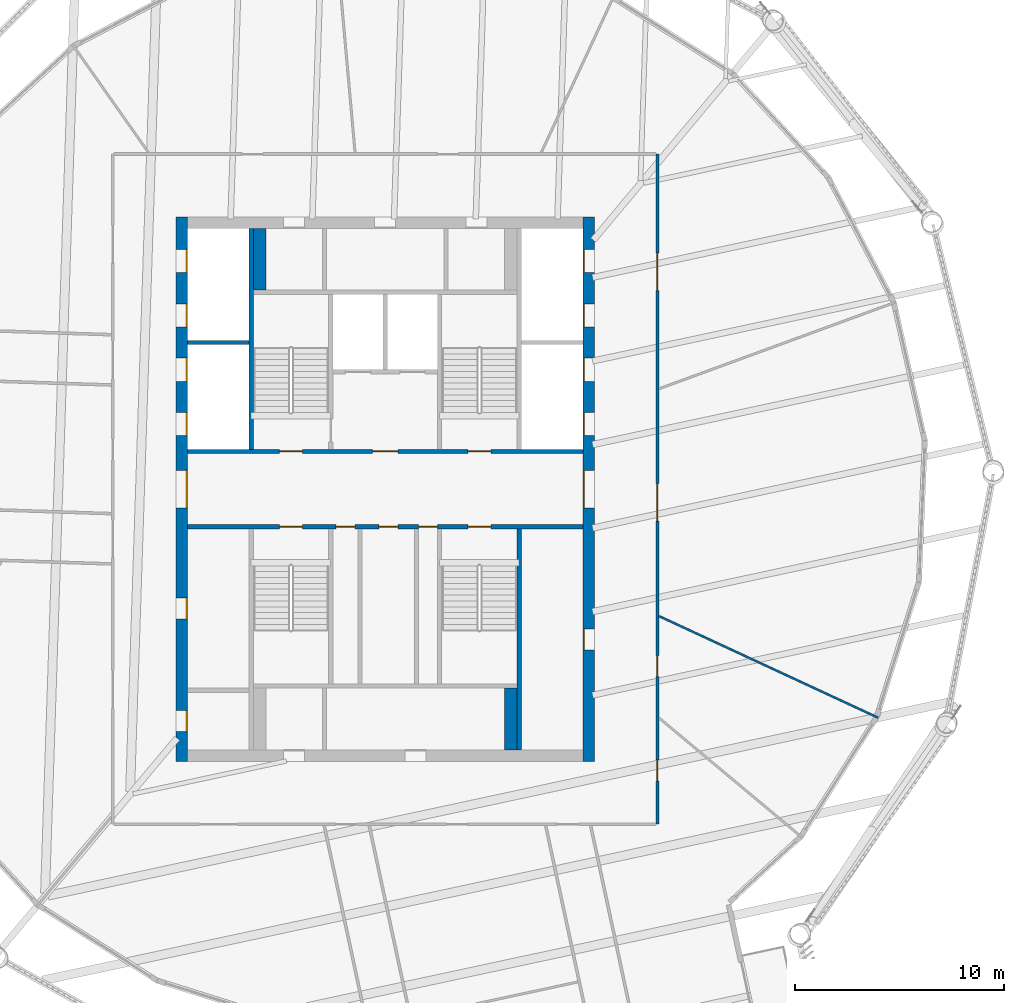
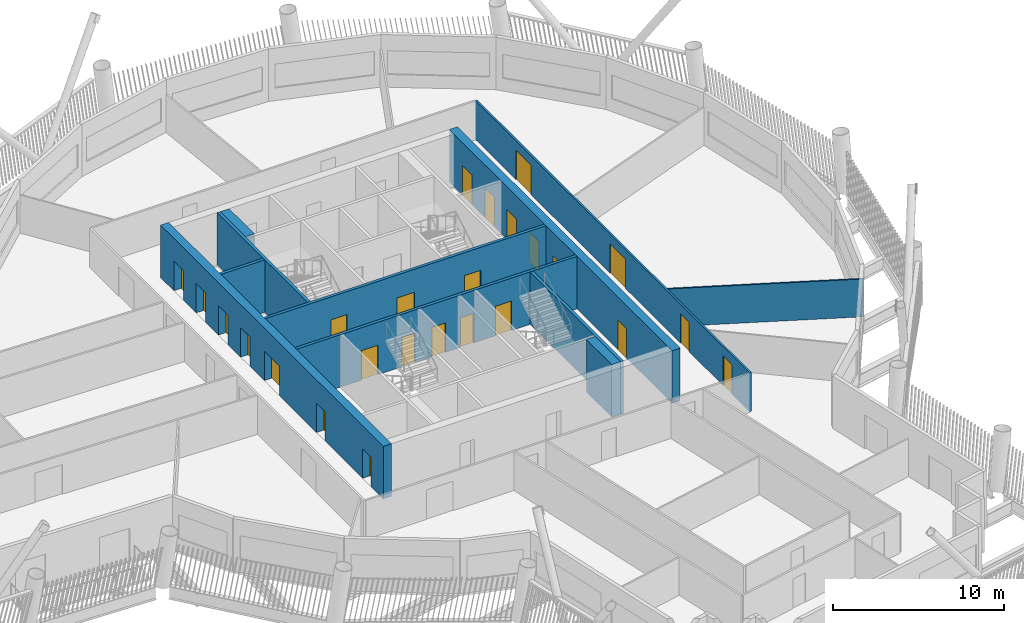
# One storey, part 5 of 21: 25 doors, 11 walls, 25 openings.
"""IFC4 building model written with IfcOpenShell, lengths in metres."""

from ifc_helpers import new_model, si_unit, direction, frame, frame_2d, origin, place, context, subcontext, project, spatial, rectangle, extrude, material, layer, layer_set, type_object, element, fill, save


model = new_model("IFC4")

# Units and contexts
model_context = context("Model", 3, precision=1e-05, world=origin(), true_north=direction((0.0, 1.0)))
body_context = subcontext(model_context, "Body", "Model", "MODEL_VIEW")
ifc_project = project(units=[si_unit("LENGTHUNIT", "METRE"), si_unit("AREAUNIT", "SQUARE_METRE"), si_unit("VOLUMEUNIT", "CUBIC_METRE"), si_unit("PLANEANGLEUNIT", "RADIAN"), si_unit("MASSUNIT", "GRAM", prefix="KILO")], contexts=[model_context])

# Site, building, storey
site_placement = place(None, origin())
site = spatial("IfcSite", under=ifc_project, at=site_placement, CompositionType="ELEMENT")
building_placement = place(site_placement, origin())
building = spatial("IfcBuilding", under=site, at=building_placement, Name="Tarsis Ring Headquarters", CompositionType="ELEMENT")
storey_placement = place(building_placement, frame((0.0, 0.0, 278.60009765625)))
storey = spatial("IfcBuildingStorey", under=building, at=storey_placement, Name="L65", CompositionType="ELEMENT", Elevation=278.60009765625)

# Wall, openings, doors
ifc_material_1 = material(Name="Concrete C50/60", Category="concrete")
ifc_layer_1 = layer(ifc_material_1, 0.550048828125)
ifc_layer_set_1 = layer_set([ifc_layer_1], Name="Core wall 550 C50/60")
wall_type_1 = type_object("IfcWallType", Name="Core wall 550 C50/60", PredefinedType="SHEAR", material=ifc_layer_set_1)
wall_1_placement = place(storey_placement, frame((-9.72509765625, -13.0, 0.0), z_axis=(0.0, 0.0, 1.0), x_axis=(0.0, 1.0, 0.0)))
wall_1 = element("IfcWall", 1, at=wall_1_placement, inside=storey, type_object=wall_type_1, Name="Core wall OW", PredefinedType="SHEAR", context=body_context, shape_type="SweptSolid", body=[
    extrude(rectangle(XDim=26.0, YDim=0.550048828125, at=frame_2d((13.0, 0.0))), origin(), (0.0, 0.0, 1.0), 3.739990234375),
])
opening_1_placement = place(wall_1_placement, frame((1.425048828125, 0.0, 0.0)))
opening_1 = element("IfcOpeningElement", 2, at=opening_1_placement, cuts=wall_1, Name="Opening L65-C01", PredefinedType="OPENING", context=body_context, shape_type="SweptSolid", body=[
    extrude(rectangle(XDim=1.0, YDim=2.10009765625, at=frame_2d((0.5, 1.050048828125))), frame((0.0, 0.284912109375, 0.0), z_axis=(0.0, -1.0, 0.0), x_axis=(1.0, 0.0, 0.0)), (0.0, 0.0, 1.0), 0.570068359375),
])
opening_2_placement = place(wall_1_placement, frame((6.800048828125, 0.0, 0.0)))
opening_2 = element("IfcOpeningElement", 3, at=opening_2_placement, cuts=wall_1, Name="Opening L65-C02", PredefinedType="OPENING", context=body_context, shape_type="SweptSolid", body=[
    extrude(rectangle(XDim=1.0, YDim=2.10009765625, at=frame_2d((0.5, 1.050048828125))), frame((0.0, 0.284912109375, 0.0), z_axis=(0.0, -1.0, 0.0), x_axis=(1.0, 0.0, 0.0)), (0.0, 0.0, 1.0), 0.570068359375),
])
opening_3_placement = place(wall_1_placement, frame((12.10009765625, 0.0, 0.0)))
opening_3 = element("IfcOpeningElement", 4, at=opening_3_placement, cuts=wall_1, Name="Opening L65-C03", PredefinedType="OPENING", context=body_context, shape_type="SweptSolid", body=[
    extrude(rectangle(XDim=1.800048828125, YDim=2.10009765625, at=frame_2d((0.89990234375, 1.050048828125))), frame((0.0, 0.284912109375, 0.0), z_axis=(0.0, -1.0, 0.0), x_axis=(1.0, 0.0, 0.0)), (0.0, 0.0, 1.0), 0.570068359375),
])
opening_4_placement = place(wall_1_placement, frame((15.550048828125, 0.0, 0.0)))
opening_4 = element("IfcOpeningElement", 5, at=opening_4_placement, cuts=wall_1, Name="Opening LD-HR1", PredefinedType="OPENING", context=body_context, shape_type="SweptSolid", body=[
    extrude(rectangle(XDim=1.10009765625, YDim=2.10009765625, at=frame_2d((0.550048828125, 1.050048828125))), frame((0.0, 0.284912109375, 0.0), z_axis=(0.0, -1.0, 0.0), x_axis=(1.0, 0.0, 0.0)), (0.0, 0.0, 1.0), 0.570068359375),
])
opening_5_placement = place(wall_1_placement, frame((18.14990234375, 0.0, 0.0)))
opening_5 = element("IfcOpeningElement", 6, at=opening_5_placement, cuts=wall_1, Name="Opening LD-HR2", PredefinedType="OPENING", context=body_context, shape_type="SweptSolid", body=[
    extrude(rectangle(XDim=1.10009765625, YDim=2.10009765625, at=frame_2d((0.550048828125, 1.050048828125))), frame((0.0, 0.284912109375, 0.0), z_axis=(0.0, -1.0, 0.0), x_axis=(1.0, 0.0, 0.0)), (0.0, 0.0, 1.0), 0.570068359375),
])
opening_6_placement = place(wall_1_placement, frame((20.75, 0.0, 0.0)))
opening_6 = element("IfcOpeningElement", 7, at=opening_6_placement, cuts=wall_1, Name="Opening LD-HR3", PredefinedType="OPENING", context=body_context, shape_type="SweptSolid", body=[
    extrude(rectangle(XDim=1.10009765625, YDim=2.10009765625, at=frame_2d((0.550048828125, 1.050048828125))), frame((0.0, 0.284912109375, 0.0), z_axis=(0.0, -1.0, 0.0), x_axis=(1.0, 0.0, 0.0)), (0.0, 0.0, 1.0), 0.570068359375),
])
opening_7_placement = place(wall_1_placement, frame((23.35009765625, 0.0, 0.0)))
opening_7 = element("IfcOpeningElement", 8, at=opening_7_placement, cuts=wall_1, Name="Opening LD-HR4", PredefinedType="OPENING", context=body_context, shape_type="SweptSolid", body=[
    extrude(rectangle(XDim=1.10009765625, YDim=2.10009765625, at=frame_2d((0.550048828125, 1.050048828125))), frame((0.0, 0.284912109375, 0.0), z_axis=(0.0, -1.0, 0.0), x_axis=(1.0, 0.0, 0.0)), (0.0, 0.0, 1.0), 0.570068359375),
])
ifc_material_2 = material(Name="Steel S355", Category="steel")
door_type_1 = type_object("IfcDoorType", Name="Core entry door 1800x2100", OperationType="DOUBLE_DOOR_SINGLE_SWING", PredefinedType="DOOR", material=ifc_material_2)
door_1_placement = place(opening_3_placement, origin())
door_1 = element("IfcDoor", 9, at=door_1_placement, inside=storey, type_object=door_type_1, Name="Core entry door L65", OperationType="DOUBLE_DOOR_SINGLE_SWING", OverallHeight=2.10009765625, OverallWidth=1.800048828125, PredefinedType="DOOR", context=body_context, shape_type="SweptSolid", body=[
    extrude(rectangle(XDim=1.800048828125, YDim=2.10009765625, at=frame_2d((0.89990234375, 1.050048828125))), frame((0.0, -0.22509765625, 0.0), z_axis=(0.0, -1.0, 0.0), x_axis=(1.0, 0.0, 0.0)), (0.0, 0.0, 1.0), 0.050048828125),
])
fill(opening_3, door_1)
door_type_2 = type_object("IfcDoorType", Name="Core room door 1000x2100", OperationType="SINGLE_SWING_LEFT", PredefinedType="DOOR", material=ifc_material_2)
door_2_placement = place(opening_1_placement, origin())
door_2 = element("IfcDoor", 10, at=door_2_placement, inside=storey, type_object=door_type_2, Name="Core room door L65", OperationType="SINGLE_SWING_LEFT", OverallHeight=2.10009765625, OverallWidth=1.0, PredefinedType="DOOR", context=body_context, shape_type="SweptSolid", body=[
    extrude(rectangle(XDim=1.0, YDim=2.10009765625, at=frame_2d((0.5, 1.050048828125))), frame((0.0, -0.22509765625, 0.0), z_axis=(0.0, -1.0, 0.0), x_axis=(1.0, 0.0, 0.0)), (0.0, 0.0, 1.0), 0.050048828125),
])
fill(opening_1, door_2)
door_3_placement = place(opening_2_placement, origin())
door_3 = element("IfcDoor", 11, at=door_3_placement, inside=storey, type_object=door_type_2, Name="Core room door L65", OperationType="SINGLE_SWING_LEFT", OverallHeight=2.10009765625, OverallWidth=1.0, PredefinedType="DOOR", context=body_context, shape_type="SweptSolid", body=[
    extrude(rectangle(XDim=1.0, YDim=2.10009765625, at=frame_2d((0.5, 1.050048828125))), frame((0.0, -0.22509765625, 0.0), z_axis=(0.0, -1.0, 0.0), x_axis=(1.0, 0.0, 0.0)), (0.0, 0.0, 1.0), 0.050048828125),
])
fill(opening_2, door_3)
door_type_3 = type_object("IfcDoorType", Name="Landing door 1100x2100", OperationType="SLIDING_TO_LEFT", PredefinedType="DOOR", material=ifc_material_2)
door_4_placement = place(opening_4_placement, origin())
door_4 = element("IfcDoor", 12, at=door_4_placement, inside=storey, type_object=door_type_3, Name="Landing door HR1 L65", OperationType="SLIDING_TO_LEFT", OverallHeight=2.10009765625, OverallWidth=1.10009765625, PredefinedType="DOOR", context=body_context, shape_type="SweptSolid", body=[
    extrude(rectangle(XDim=1.10009765625, YDim=2.10009765625, at=frame_2d((0.550048828125, 1.050048828125))), frame((0.0, -0.22509765625, 0.0), z_axis=(0.0, -1.0, 0.0), x_axis=(1.0, 0.0, 0.0)), (0.0, 0.0, 1.0), 0.050048828125),
])
fill(opening_4, door_4)
door_5_placement = place(opening_5_placement, origin())
door_5 = element("IfcDoor", 13, at=door_5_placement, inside=storey, type_object=door_type_3, Name="Landing door HR2 L65", OperationType="SLIDING_TO_LEFT", OverallHeight=2.10009765625, OverallWidth=1.10009765625, PredefinedType="DOOR", context=body_context, shape_type="SweptSolid", body=[
    extrude(rectangle(XDim=1.10009765625, YDim=2.10009765625, at=frame_2d((0.550048828125, 1.050048828125))), frame((0.0, -0.22509765625, 0.0), z_axis=(0.0, -1.0, 0.0), x_axis=(1.0, 0.0, 0.0)), (0.0, 0.0, 1.0), 0.050048828125),
])
fill(opening_5, door_5)
door_6_placement = place(opening_6_placement, origin())
door_6 = element("IfcDoor", 14, at=door_6_placement, inside=storey, type_object=door_type_3, Name="Landing door HR3 L65", OperationType="SLIDING_TO_LEFT", OverallHeight=2.10009765625, OverallWidth=1.10009765625, PredefinedType="DOOR", context=body_context, shape_type="SweptSolid", body=[
    extrude(rectangle(XDim=1.10009765625, YDim=2.10009765625, at=frame_2d((0.550048828125, 1.050048828125))), frame((0.0, -0.22509765625, 0.0), z_axis=(0.0, -1.0, 0.0), x_axis=(1.0, 0.0, 0.0)), (0.0, 0.0, 1.0), 0.050048828125),
])
fill(opening_6, door_6)
door_7_placement = place(opening_7_placement, origin())
door_7 = element("IfcDoor", 15, at=door_7_placement, inside=storey, type_object=door_type_3, Name="Landing door HR4 L65", OperationType="SLIDING_TO_LEFT", OverallHeight=2.10009765625, OverallWidth=1.10009765625, PredefinedType="DOOR", context=body_context, shape_type="SweptSolid", body=[
    extrude(rectangle(XDim=1.10009765625, YDim=2.10009765625, at=frame_2d((0.550048828125, 1.050048828125))), frame((0.0, -0.22509765625, 0.0), z_axis=(0.0, -1.0, 0.0), x_axis=(1.0, 0.0, 0.0)), (0.0, 0.0, 1.0), 0.050048828125),
])
fill(opening_7, door_7)

wall_2_placement = place(storey_placement, frame((9.72509765625, -13.0, 0.0), z_axis=(0.0, 0.0, 1.0), x_axis=(0.0, 1.0, 0.0)))
wall_2 = element("IfcWall", 16, at=wall_2_placement, inside=storey, type_object=wall_type_1, Name="Core wall OE", PredefinedType="SHEAR", context=body_context, shape_type="SweptSolid", body=[
    extrude(rectangle(XDim=26.0, YDim=0.550048828125, at=frame_2d((13.0, 0.0))), origin(), (0.0, 0.0, 1.0), 3.739990234375),
])
opening_8_placement = place(wall_2_placement, frame((5.324951171875, 0.0, 0.0)))
opening_8 = element("IfcOpeningElement", 17, at=opening_8_placement, cuts=wall_2, Name="Opening L65-C08", PredefinedType="OPENING", context=body_context, shape_type="SweptSolid", body=[
    extrude(rectangle(XDim=1.0, YDim=2.10009765625, at=frame_2d((0.5, 1.050048828125))), frame((0.0, 0.284912109375, 0.0), z_axis=(0.0, -1.0, 0.0), x_axis=(1.0, 0.0, 0.0)), (0.0, 0.0, 1.0), 0.570068359375),
])
opening_9_placement = place(wall_2_placement, frame((12.10009765625, 0.0, 0.0)))
opening_9 = element("IfcOpeningElement", 18, at=opening_9_placement, cuts=wall_2, Name="Opening L65-C09", PredefinedType="OPENING", context=body_context, shape_type="SweptSolid", body=[
    extrude(rectangle(XDim=1.800048828125, YDim=2.10009765625, at=frame_2d((0.89990234375, 1.050048828125))), frame((0.0, 0.284912109375, 0.0), z_axis=(0.0, -1.0, 0.0), x_axis=(1.0, 0.0, 0.0)), (0.0, 0.0, 1.0), 0.570068359375),
])
opening_10_placement = place(wall_2_placement, frame((15.550048828125, 0.0, 0.0)))
opening_10 = element("IfcOpeningElement", 19, at=opening_10_placement, cuts=wall_2, Name="Opening LD-HR5", PredefinedType="OPENING", context=body_context, shape_type="SweptSolid", body=[
    extrude(rectangle(XDim=1.10009765625, YDim=2.10009765625, at=frame_2d((0.550048828125, 1.050048828125))), frame((0.0, 0.284912109375, 0.0), z_axis=(0.0, -1.0, 0.0), x_axis=(1.0, 0.0, 0.0)), (0.0, 0.0, 1.0), 0.570068359375),
])
opening_11_placement = place(wall_2_placement, frame((18.14990234375, 0.0, 0.0)))
opening_11 = element("IfcOpeningElement", 20, at=opening_11_placement, cuts=wall_2, Name="Opening LD-HR6", PredefinedType="OPENING", context=body_context, shape_type="SweptSolid", body=[
    extrude(rectangle(XDim=1.10009765625, YDim=2.10009765625, at=frame_2d((0.550048828125, 1.050048828125))), frame((0.0, 0.284912109375, 0.0), z_axis=(0.0, -1.0, 0.0), x_axis=(1.0, 0.0, 0.0)), (0.0, 0.0, 1.0), 0.570068359375),
])
opening_12_placement = place(wall_2_placement, frame((20.75, 0.0, 0.0)))
opening_12 = element("IfcOpeningElement", 21, at=opening_12_placement, cuts=wall_2, Name="Opening LD-HR7", PredefinedType="OPENING", context=body_context, shape_type="SweptSolid", body=[
    extrude(rectangle(XDim=1.10009765625, YDim=2.10009765625, at=frame_2d((0.550048828125, 1.050048828125))), frame((0.0, 0.284912109375, 0.0), z_axis=(0.0, -1.0, 0.0), x_axis=(1.0, 0.0, 0.0)), (0.0, 0.0, 1.0), 0.570068359375),
])
opening_13_placement = place(wall_2_placement, frame((23.35009765625, 0.0, 0.0)))
opening_13 = element("IfcOpeningElement", 22, at=opening_13_placement, cuts=wall_2, Name="Opening LD-HR8", PredefinedType="OPENING", context=body_context, shape_type="SweptSolid", body=[
    extrude(rectangle(XDim=1.10009765625, YDim=2.10009765625, at=frame_2d((0.550048828125, 1.050048828125))), frame((0.0, 0.284912109375, 0.0), z_axis=(0.0, -1.0, 0.0), x_axis=(1.0, 0.0, 0.0)), (0.0, 0.0, 1.0), 0.570068359375),
])
door_8_placement = place(opening_9_placement, origin())
door_8 = element("IfcDoor", 23, at=door_8_placement, inside=storey, type_object=door_type_1, Name="Core entry door L65", OperationType="DOUBLE_DOOR_SINGLE_SWING", OverallHeight=2.10009765625, OverallWidth=1.800048828125, PredefinedType="DOOR", context=body_context, shape_type="SweptSolid", body=[
    extrude(rectangle(XDim=1.800048828125, YDim=2.10009765625, at=frame_2d((0.89990234375, 1.050048828125))), frame((0.0, 0.27490234375, 0.0), z_axis=(0.0, -1.0, 0.0), x_axis=(1.0, 0.0, 0.0)), (0.0, 0.0, 1.0), 0.050048828125),
])
fill(opening_9, door_8)
door_9_placement = place(opening_8_placement, origin())
door_9 = element("IfcDoor", 24, at=door_9_placement, inside=storey, type_object=door_type_2, Name="Core room door L65", OperationType="SINGLE_SWING_LEFT", OverallHeight=2.10009765625, OverallWidth=1.0, PredefinedType="DOOR", context=body_context, shape_type="SweptSolid", body=[
    extrude(rectangle(XDim=1.0, YDim=2.10009765625, at=frame_2d((0.5, 1.050048828125))), frame((0.0, 0.27490234375, 0.0), z_axis=(0.0, -1.0, 0.0), x_axis=(1.0, 0.0, 0.0)), (0.0, 0.0, 1.0), 0.050048828125),
])
fill(opening_8, door_9)
door_10_placement = place(opening_10_placement, origin())
door_10 = element("IfcDoor", 25, at=door_10_placement, inside=storey, type_object=door_type_3, Name="Landing door HR5 L65", OperationType="SLIDING_TO_LEFT", OverallHeight=2.10009765625, OverallWidth=1.10009765625, PredefinedType="DOOR", context=body_context, shape_type="SweptSolid", body=[
    extrude(rectangle(XDim=1.10009765625, YDim=2.10009765625, at=frame_2d((0.550048828125, 1.050048828125))), frame((0.0, 0.27490234375, 0.0), z_axis=(0.0, -1.0, 0.0), x_axis=(1.0, 0.0, 0.0)), (0.0, 0.0, 1.0), 0.050048828125),
])
fill(opening_10, door_10)
door_11_placement = place(opening_11_placement, origin())
door_11 = element("IfcDoor", 26, at=door_11_placement, inside=storey, type_object=door_type_3, Name="Landing door HR6 L65", OperationType="SLIDING_TO_LEFT", OverallHeight=2.10009765625, OverallWidth=1.10009765625, PredefinedType="DOOR", context=body_context, shape_type="SweptSolid", body=[
    extrude(rectangle(XDim=1.10009765625, YDim=2.10009765625, at=frame_2d((0.550048828125, 1.050048828125))), frame((0.0, 0.27490234375, 0.0), z_axis=(0.0, -1.0, 0.0), x_axis=(1.0, 0.0, 0.0)), (0.0, 0.0, 1.0), 0.050048828125),
])
fill(opening_11, door_11)
door_12_placement = place(opening_12_placement, origin())
door_12 = element("IfcDoor", 27, at=door_12_placement, inside=storey, type_object=door_type_3, Name="Landing door HR7 L65", OperationType="SLIDING_TO_LEFT", OverallHeight=2.10009765625, OverallWidth=1.10009765625, PredefinedType="DOOR", context=body_context, shape_type="SweptSolid", body=[
    extrude(rectangle(XDim=1.10009765625, YDim=2.10009765625, at=frame_2d((0.550048828125, 1.050048828125))), frame((0.0, 0.27490234375, 0.0), z_axis=(0.0, -1.0, 0.0), x_axis=(1.0, 0.0, 0.0)), (0.0, 0.0, 1.0), 0.050048828125),
])
fill(opening_12, door_12)
door_13_placement = place(opening_13_placement, origin())
door_13 = element("IfcDoor", 28, at=door_13_placement, inside=storey, type_object=door_type_3, Name="Landing door HR8 L65", OperationType="SLIDING_TO_LEFT", OverallHeight=2.10009765625, OverallWidth=1.10009765625, PredefinedType="DOOR", context=body_context, shape_type="SweptSolid", body=[
    extrude(rectangle(XDim=1.10009765625, YDim=2.10009765625, at=frame_2d((0.550048828125, 1.050048828125))), frame((0.0, 0.27490234375, 0.0), z_axis=(0.0, -1.0, 0.0), x_axis=(1.0, 0.0, 0.0)), (0.0, 0.0, 1.0), 0.050048828125),
])
fill(opening_13, door_13)

# Wall
ifc_material_3 = material(Name="Gypsum board on steel studs", Category="steel")
ifc_layer_2 = layer(ifc_material_3, 0.10009765625)
ifc_layer_set_2 = layer_set([ifc_layer_2], Name="FL partition 100 unrated")
wall_type_2 = type_object("IfcWallType", Name="FL partition 100 unrated", PredefinedType="PARTITIONING", material=ifc_layer_set_2)
wall_3_placement = place(storey_placement, frame((13.072509765625, -6.0625, 0.0), z_axis=(0.0, 0.0, 1.0), x_axis=(0.907189287832, -0.420722706831, 0.0)))
element("IfcWall", 29, at=wall_3_placement, inside=storey, type_object=wall_type_2, Name="Partition PW3", PredefinedType="PARTITIONING", context=body_context, shape_type="SweptSolid", body=[
    extrude(rectangle(XDim=11.537841796875, YDim=0.10009765625, at=frame_2d((5.76904296875, 0.0))), origin(), (0.0, 0.0, 1.0), 2.699951171875),
])

# Wall, openings, doors
ifc_layer_3 = layer(ifc_material_3, 0.125)
ifc_layer_set_3 = layer_set([ifc_layer_3], Name="FL partition 125 EI 60 H2770")
wall_type_3 = type_object("IfcWallType", Name="FL partition 125 EI 60 H2770", PredefinedType="PARTITIONING", material=ifc_layer_set_3)
wall_4_placement = place(storey_placement, frame((13.0, -16.0, 0.0), z_axis=(0.0, 0.0, 1.0), x_axis=(0.0, 1.0, 0.0)))
wall_4 = element("IfcWall", 30, at=wall_4_placement, inside=storey, type_object=wall_type_3, Name="Partition PW1", PredefinedType="PARTITIONING", context=body_context, shape_type="SweptSolid", body=[
    extrude(rectangle(XDim=32.0, YDim=0.125, at=frame_2d((16.0, 0.0))), origin(), (0.0, 0.0, 1.0), 2.77001953125),
])
opening_14_placement = place(wall_4_placement, frame((25.481201171875, 0.0, 0.0)))
opening_14 = element("IfcOpeningElement", 31, at=opening_14_placement, cuts=wall_4, Name="Opening D65.06", PredefinedType="OPENING", context=body_context, shape_type="SweptSolid", body=[
    extrude(rectangle(XDim=1.800048828125, YDim=2.10009765625, at=frame_2d((0.89990234375, 1.050048828125))), frame((0.0, 0.072509765625, 0.0), z_axis=(0.0, -1.0, 0.0), x_axis=(1.0, 0.0, 0.0)), (0.0, 0.0, 1.0), 0.14501953125),
])
opening_15_placement = place(wall_4_placement, frame((14.466796875, 0.0, 0.0)))
opening_15 = element("IfcOpeningElement", 32, at=opening_15_placement, cuts=wall_4, Name="Opening D65.07", PredefinedType="OPENING", context=body_context, shape_type="SweptSolid", body=[
    extrude(rectangle(XDim=1.800048828125, YDim=2.10009765625, at=frame_2d((0.89990234375, 1.050048828125))), frame((0.0, 0.072509765625, 0.0), z_axis=(0.0, -1.0, 0.0), x_axis=(1.0, 0.0, 0.0)), (0.0, 0.0, 1.0), 0.14501953125),
])
opening_16_placement = place(wall_4_placement, frame((7.0546875, 0.0, 0.0)))
opening_16 = element("IfcOpeningElement", 33, at=opening_16_placement, cuts=wall_4, Name="Opening D65.08", PredefinedType="OPENING", context=body_context, shape_type="SweptSolid", body=[
    extrude(rectangle(XDim=1.0, YDim=2.10009765625, at=frame_2d((0.5, 1.050048828125))), frame((0.0, 0.072509765625, 0.0), z_axis=(0.0, -1.0, 0.0), x_axis=(1.0, 0.0, 0.0)), (0.0, 0.0, 1.0), 0.14501953125),
])
opening_17_placement = place(wall_4_placement, frame((2.069091796875, 0.0, 0.0)))
opening_17 = element("IfcOpeningElement", 34, at=opening_17_placement, cuts=wall_4, Name="Opening D65.09", PredefinedType="OPENING", context=body_context, shape_type="SweptSolid", body=[
    extrude(rectangle(XDim=1.0, YDim=2.10009765625, at=frame_2d((0.5, 1.050048828125))), frame((0.0, 0.072509765625, 0.0), z_axis=(0.0, -1.0, 0.0), x_axis=(1.0, 0.0, 0.0)), (0.0, 0.0, 1.0), 0.14501953125),
])
ifc_material_4 = material(Name="Fire-rated timber door leaf in steel frame", Category="steel")
door_type_4 = type_object("IfcDoorType", Name="FL door FD60-1000", OperationType="NOTDEFINED", PredefinedType="DOOR", material=ifc_material_4)
door_14_placement = place(opening_16_placement, origin())
door_14 = element("IfcDoor", 35, at=door_14_placement, inside=storey, type_object=door_type_4, Name="Door D65.08", OperationType="SINGLE_SWING_LEFT", OverallHeight=2.10009765625, OverallWidth=1.0, PredefinedType="DOOR", context=body_context, shape_type="SweptSolid", body=[
    extrude(rectangle(XDim=1.0, YDim=2.10009765625, at=frame_2d((0.5, 1.050048828125))), frame((0.0, 0.02490234375, 0.0), z_axis=(0.0, -1.0, 0.0), x_axis=(1.0, 0.0, 0.0)), (0.0, 0.0, 1.0), 0.050048828125),
])
fill(opening_16, door_14)
door_15_placement = place(opening_17_placement, origin())
door_15 = element("IfcDoor", 36, at=door_15_placement, inside=storey, type_object=door_type_4, Name="Door D65.09", OperationType="SINGLE_SWING_RIGHT", OverallHeight=2.10009765625, OverallWidth=1.0, PredefinedType="DOOR", context=body_context, shape_type="SweptSolid", body=[
    extrude(rectangle(XDim=1.0, YDim=2.10009765625, at=frame_2d((0.5, 1.050048828125))), frame((0.0, 0.02490234375, 0.0), z_axis=(0.0, -1.0, 0.0), x_axis=(1.0, 0.0, 0.0)), (0.0, 0.0, 1.0), 0.050048828125),
])
fill(opening_17, door_15)
door_type_5 = type_object("IfcDoorType", Name="FL door FD60-1800", OperationType="DOUBLE_DOOR_SINGLE_SWING", PredefinedType="DOOR", material=ifc_material_4)
door_16_placement = place(opening_14_placement, origin())
door_16 = element("IfcDoor", 37, at=door_16_placement, inside=storey, type_object=door_type_5, Name="Door D65.06", OperationType="DOUBLE_DOOR_SINGLE_SWING", OverallHeight=2.10009765625, OverallWidth=1.800048828125, PredefinedType="DOOR", context=body_context, shape_type="SweptSolid", body=[
    extrude(rectangle(XDim=1.800048828125, YDim=2.10009765625, at=frame_2d((0.89990234375, 1.050048828125))), frame((0.0, 0.02490234375, 0.0), z_axis=(0.0, -1.0, 0.0), x_axis=(1.0, 0.0, 0.0)), (0.0, 0.0, 1.0), 0.050048828125),
])
fill(opening_14, door_16)
door_17_placement = place(opening_15_placement, origin())
door_17 = element("IfcDoor", 38, at=door_17_placement, inside=storey, type_object=door_type_5, Name="Door D65.07", OperationType="DOUBLE_DOOR_SINGLE_SWING", OverallHeight=2.10009765625, OverallWidth=1.800048828125, PredefinedType="DOOR", context=body_context, shape_type="SweptSolid", body=[
    extrude(rectangle(XDim=1.800048828125, YDim=2.10009765625, at=frame_2d((0.89990234375, 1.050048828125))), frame((0.0, 0.02490234375, 0.0), z_axis=(0.0, -1.0, 0.0), x_axis=(1.0, 0.0, 0.0)), (0.0, 0.0, 1.0), 0.050048828125),
])
fill(opening_15, door_17)

# Walls
ifc_material_5 = material(Name="Concrete C32/40", Category="concrete")
ifc_layer_4 = layer(ifc_material_5, 0.60009765625)
ifc_layer_set_4 = layer_set([ifc_layer_4], Name="Shaft end wall 600 C32/40")
wall_type_4 = type_object("IfcWallType", Name="Shaft end wall 600 C32/40", PredefinedType="SOLIDWALL", material=ifc_layer_set_4)
for number, where, z_axis, x_axis, name in (
    (39, (-6.0, 9.5, 0.0), (0.0, 0.0, 1.0), (0.0, 1.0, 0.0), "Core shaft wall NNE1"),
    (40, (6.0, -12.449951171875, 0.0), (0.0, 0.0, 1.0), (0.0, 1.0, 0.0), "Core shaft wall SNE2"),
):
    element("IfcWall", number, at=place(storey_placement, frame(where, z_axis=z_axis, x_axis=x_axis)), inside=storey, type_object=wall_type_4, Name=name, PredefinedType="SOLIDWALL", context=body_context, shape_type="SweptSolid", body=[
        extrude(rectangle(XDim=2.949951171875, YDim=0.60009765625, at=frame_2d((1.47509765625, 0.0))), origin(), (0.0, 0.0, 1.0), 3.739990234375),
    ])

# Wall, openings, doors
ifc_layer_5 = layer(ifc_material_5, 0.199951171875)
ifc_layer_set_5 = layer_set([ifc_layer_5], Name="Shaft wall 200 C32/40")
wall_type_5 = type_object("IfcWallType", Name="Shaft wall 200 C32/40", PredefinedType="SOLIDWALL", material=ifc_layer_set_5)
wall_5_placement = place(storey_placement, frame((-9.449951171875, 1.800048828125, 0.0), z_axis=(0.0, 0.0, 1.0), x_axis=(1.0, 0.0, 0.0)))
wall_5 = element("IfcWall", 41, at=wall_5_placement, inside=storey, type_object=wall_type_5, Name="Core shaft wall CN", PredefinedType="SOLIDWALL", context=body_context, shape_type="SweptSolid", body=[
    extrude(rectangle(XDim=18.89990234375, YDim=0.199951171875, at=frame_2d((9.449951171875, 0.0))), origin(), (0.0, 0.0, 1.0), 3.739990234375),
])
opening_18_placement = place(wall_5_placement, frame((4.39990234375, 0.0, 0.0)))
opening_18 = element("IfcOpeningElement", 42, at=opening_18_placement, cuts=wall_5, Name="Opening L65-C19", PredefinedType="OPENING", context=body_context, shape_type="SweptSolid", body=[
    extrude(rectangle(XDim=1.10009765625, YDim=2.10009765625, at=frame_2d((0.550048828125, 1.050048828125))), frame((0.0, 0.10986328125, 0.0), z_axis=(0.0, -1.0, 0.0), x_axis=(1.0, 0.0, 0.0)), (0.0, 0.0, 1.0), 0.219970703125),
])
opening_19_placement = place(wall_5_placement, frame((8.85009765625, 0.0, 0.0)))
opening_19 = element("IfcOpeningElement", 43, at=opening_19_placement, cuts=wall_5, Name="Opening L65-C20", PredefinedType="OPENING", context=body_context, shape_type="SweptSolid", body=[
    extrude(rectangle(XDim=1.199951171875, YDim=2.10009765625, at=frame_2d((0.60009765625, 1.050048828125))), frame((0.0, 0.10986328125, 0.0), z_axis=(0.0, -1.0, 0.0), x_axis=(1.0, 0.0, 0.0)), (0.0, 0.0, 1.0), 0.219970703125),
])
opening_20_placement = place(wall_5_placement, frame((13.39990234375, 0.0, 0.0)))
opening_20 = element("IfcOpeningElement", 44, at=opening_20_placement, cuts=wall_5, Name="Opening L65-C21", PredefinedType="OPENING", context=body_context, shape_type="SweptSolid", body=[
    extrude(rectangle(XDim=1.10009765625, YDim=2.10009765625, at=frame_2d((0.550048828125, 1.050048828125))), frame((0.0, 0.10986328125, 0.0), z_axis=(0.0, -1.0, 0.0), x_axis=(1.0, 0.0, 0.0)), (0.0, 0.0, 1.0), 0.219970703125),
])
door_type_6 = type_object("IfcDoorType", Name="Firefighting lobby door 1200x2100", OperationType="DOUBLE_DOOR_SINGLE_SWING", PredefinedType="DOOR", material=ifc_material_2)
door_18_placement = place(opening_19_placement, origin())
door_18 = element("IfcDoor", 45, at=door_18_placement, inside=storey, type_object=door_type_6, Name="Firefighting lobby door L65", OperationType="DOUBLE_DOOR_SINGLE_SWING", OverallHeight=2.10009765625, OverallWidth=1.199951171875, PredefinedType="DOOR", context=body_context, shape_type="SweptSolid", body=[
    extrude(rectangle(XDim=1.199951171875, YDim=2.10009765625, at=frame_2d((0.60009765625, 1.050048828125))), frame((0.0, 0.02490234375, 0.0), z_axis=(0.0, -1.0, 0.0), x_axis=(1.0, 0.0, 0.0)), (0.0, 0.0, 1.0), 0.050048828125),
])
fill(opening_19, door_18)
door_type_7 = type_object("IfcDoorType", Name="Stair door 1100x2100", OperationType="SINGLE_SWING_LEFT", PredefinedType="DOOR", material=ifc_material_2)
door_19_placement = place(opening_18_placement, origin())
door_19 = element("IfcDoor", 46, at=door_19_placement, inside=storey, type_object=door_type_7, Name="Stair door L65", OperationType="SINGLE_SWING_LEFT", OverallHeight=2.10009765625, OverallWidth=1.10009765625, PredefinedType="DOOR", context=body_context, shape_type="SweptSolid", body=[
    extrude(rectangle(XDim=1.10009765625, YDim=2.10009765625, at=frame_2d((0.550048828125, 1.050048828125))), frame((0.0, 0.02490234375, 0.0), z_axis=(0.0, -1.0, 0.0), x_axis=(1.0, 0.0, 0.0)), (0.0, 0.0, 1.0), 0.050048828125),
])
fill(opening_18, door_19)
door_20_placement = place(opening_20_placement, origin())
door_20 = element("IfcDoor", 47, at=door_20_placement, inside=storey, type_object=door_type_7, Name="Stair door L65", OperationType="SINGLE_SWING_LEFT", OverallHeight=2.10009765625, OverallWidth=1.10009765625, PredefinedType="DOOR", context=body_context, shape_type="SweptSolid", body=[
    extrude(rectangle(XDim=1.10009765625, YDim=2.10009765625, at=frame_2d((0.550048828125, 1.050048828125))), frame((0.0, 0.02490234375, 0.0), z_axis=(0.0, -1.0, 0.0), x_axis=(1.0, 0.0, 0.0)), (0.0, 0.0, 1.0), 0.050048828125),
])
fill(opening_20, door_20)

wall_6_placement = place(storey_placement, frame((-9.449951171875, -1.800048828125, 0.0), z_axis=(0.0, 0.0, 1.0), x_axis=(1.0, 0.0, 0.0)))
wall_6 = element("IfcWall", 48, at=wall_6_placement, inside=storey, type_object=wall_type_5, Name="Core shaft wall CS", PredefinedType="SOLIDWALL", context=body_context, shape_type="SweptSolid", body=[
    extrude(rectangle(XDim=18.89990234375, YDim=0.199951171875, at=frame_2d((9.449951171875, 0.0))), origin(), (0.0, 0.0, 1.0), 3.739990234375),
])
opening_21_placement = place(wall_6_placement, frame((4.39990234375, 0.0, 0.0)))
opening_21 = element("IfcOpeningElement", 49, at=opening_21_placement, cuts=wall_6, Name="Opening L65-C22", PredefinedType="OPENING", context=body_context, shape_type="SweptSolid", body=[
    extrude(rectangle(XDim=1.10009765625, YDim=2.10009765625, at=frame_2d((0.550048828125, 1.050048828125))), frame((0.0, 0.10986328125, 0.0), z_axis=(0.0, -1.0, 0.0), x_axis=(1.0, 0.0, 0.0)), (0.0, 0.0, 1.0), 0.219970703125),
])
opening_22_placement = place(wall_6_placement, frame((7.10009765625, 0.0, 0.0)))
opening_22 = element("IfcOpeningElement", 50, at=opening_22_placement, cuts=wall_6, Name="Opening L65-C23", PredefinedType="OPENING", context=body_context, shape_type="SweptSolid", body=[
    extrude(rectangle(XDim=0.89990234375, YDim=2.10009765625, at=frame_2d((0.449951171875, 1.050048828125))), frame((0.0, 0.10986328125, 0.0), z_axis=(0.0, -1.0, 0.0), x_axis=(1.0, 0.0, 0.0)), (0.0, 0.0, 1.0), 0.219970703125),
])
opening_23_placement = place(wall_6_placement, frame((9.14990234375, 0.0, 0.0)))
opening_23 = element("IfcOpeningElement", 51, at=opening_23_placement, cuts=wall_6, Name="Opening L65-C24", PredefinedType="OPENING", context=body_context, shape_type="SweptSolid", body=[
    extrude(rectangle(XDim=0.89990234375, YDim=2.10009765625, at=frame_2d((0.449951171875, 1.050048828125))), frame((0.0, 0.10986328125, 0.0), z_axis=(0.0, -1.0, 0.0), x_axis=(1.0, 0.0, 0.0)), (0.0, 0.0, 1.0), 0.219970703125),
])
opening_24_placement = place(wall_6_placement, frame((11.050048828125, 0.0, 0.0)))
opening_24 = element("IfcOpeningElement", 52, at=opening_24_placement, cuts=wall_6, Name="Opening L65-C25", PredefinedType="OPENING", context=body_context, shape_type="SweptSolid", body=[
    extrude(rectangle(XDim=0.89990234375, YDim=2.10009765625, at=frame_2d((0.449951171875, 1.050048828125))), frame((0.0, 0.10986328125, 0.0), z_axis=(0.0, -1.0, 0.0), x_axis=(1.0, 0.0, 0.0)), (0.0, 0.0, 1.0), 0.219970703125),
])
opening_25_placement = place(wall_6_placement, frame((13.39990234375, 0.0, 0.0)))
opening_25 = element("IfcOpeningElement", 53, at=opening_25_placement, cuts=wall_6, Name="Opening L65-C26", PredefinedType="OPENING", context=body_context, shape_type="SweptSolid", body=[
    extrude(rectangle(XDim=1.10009765625, YDim=2.10009765625, at=frame_2d((0.550048828125, 1.050048828125))), frame((0.0, 0.10986328125, 0.0), z_axis=(0.0, -1.0, 0.0), x_axis=(1.0, 0.0, 0.0)), (0.0, 0.0, 1.0), 0.219970703125),
])
door_21_placement = place(opening_21_placement, origin())
door_21 = element("IfcDoor", 54, at=door_21_placement, inside=storey, type_object=door_type_7, Name="Stair door L65", OperationType="SINGLE_SWING_LEFT", OverallHeight=2.10009765625, OverallWidth=1.10009765625, PredefinedType="DOOR", context=body_context, shape_type="SweptSolid", body=[
    extrude(rectangle(XDim=1.10009765625, YDim=2.10009765625, at=frame_2d((0.550048828125, 1.050048828125))), frame((0.0, 0.02490234375, 0.0), z_axis=(0.0, -1.0, 0.0), x_axis=(1.0, 0.0, 0.0)), (0.0, 0.0, 1.0), 0.050048828125),
])
fill(opening_21, door_21)
door_22_placement = place(opening_25_placement, origin())
door_22 = element("IfcDoor", 55, at=door_22_placement, inside=storey, type_object=door_type_7, Name="Stair door L65", OperationType="SINGLE_SWING_LEFT", OverallHeight=2.10009765625, OverallWidth=1.10009765625, PredefinedType="DOOR", context=body_context, shape_type="SweptSolid", body=[
    extrude(rectangle(XDim=1.10009765625, YDim=2.10009765625, at=frame_2d((0.550048828125, 1.050048828125))), frame((0.0, 0.02490234375, 0.0), z_axis=(0.0, -1.0, 0.0), x_axis=(1.0, 0.0, 0.0)), (0.0, 0.0, 1.0), 0.050048828125),
])
fill(opening_25, door_22)
door_type_8 = type_object("IfcDoorType", Name="WC door 900x2100", OperationType="SINGLE_SWING_LEFT", PredefinedType="DOOR", material=ifc_material_2)
door_23_placement = place(opening_22_placement, origin())
door_23 = element("IfcDoor", 56, at=door_23_placement, inside=storey, type_object=door_type_8, Name="WC door L65", OperationType="SINGLE_SWING_LEFT", OverallHeight=2.10009765625, OverallWidth=0.89990234375, PredefinedType="DOOR", context=body_context, shape_type="SweptSolid", body=[
    extrude(rectangle(XDim=0.89990234375, YDim=2.10009765625, at=frame_2d((0.449951171875, 1.050048828125))), frame((0.0, 0.02490234375, 0.0), z_axis=(0.0, -1.0, 0.0), x_axis=(1.0, 0.0, 0.0)), (0.0, 0.0, 1.0), 0.050048828125),
])
fill(opening_22, door_23)
door_24_placement = place(opening_23_placement, origin())
door_24 = element("IfcDoor", 57, at=door_24_placement, inside=storey, type_object=door_type_8, Name="WC door L65", OperationType="SINGLE_SWING_LEFT", OverallHeight=2.10009765625, OverallWidth=0.89990234375, PredefinedType="DOOR", context=body_context, shape_type="SweptSolid", body=[
    extrude(rectangle(XDim=0.89990234375, YDim=2.10009765625, at=frame_2d((0.449951171875, 1.050048828125))), frame((0.0, 0.02490234375, 0.0), z_axis=(0.0, -1.0, 0.0), x_axis=(1.0, 0.0, 0.0)), (0.0, 0.0, 1.0), 0.050048828125),
])
fill(opening_23, door_24)
door_25_placement = place(opening_24_placement, origin())
door_25 = element("IfcDoor", 58, at=door_25_placement, inside=storey, type_object=door_type_8, Name="WC door L65", OperationType="SINGLE_SWING_LEFT", OverallHeight=2.10009765625, OverallWidth=0.89990234375, PredefinedType="DOOR", context=body_context, shape_type="SweptSolid", body=[
    extrude(rectangle(XDim=0.89990234375, YDim=2.10009765625, at=frame_2d((0.449951171875, 1.050048828125))), frame((0.0, 0.02490234375, 0.0), z_axis=(0.0, -1.0, 0.0), x_axis=(1.0, 0.0, 0.0)), (0.0, 0.0, 1.0), 0.050048828125),
])
fill(opening_24, door_25)

# Walls
for number, where, z_axis, x_axis, name in (
    (59, (-6.39990234375, 1.89990234375, 0.0), (0.0, 0.0, 1.0), (0.0, 1.0, 0.0), "Core shaft wall WB2"),
    (60, (6.39990234375, -12.449951171875, 0.0), (0.0, 0.0, 1.0), (0.0, 1.0, 0.0), "Core shaft wall EB1"),
):
    element("IfcWall", number, at=place(storey_placement, frame(where, z_axis=z_axis, x_axis=x_axis)), inside=storey, type_object=wall_type_5, Name=name, PredefinedType="SOLIDWALL", context=body_context, shape_type="SweptSolid", body=[
        extrude(rectangle(XDim=10.550048828125, YDim=0.199951171875, at=frame_2d((5.27490234375, 0.0))), origin(), (0.0, 0.0, 1.0), 3.739990234375),
    ])
wall_7_placement = place(storey_placement, frame((-9.449951171875, 7.0, 0.0), z_axis=(0.0, 0.0, 1.0), x_axis=(1.0, 0.0, 0.0)))
element("IfcWall", 61, at=wall_7_placement, inside=storey, type_object=wall_type_5, Name="Core shaft wall WD6", PredefinedType="SOLIDWALL", context=body_context, shape_type="SweptSolid", body=[
    extrude(rectangle(XDim=2.949951171875, YDim=0.199951171875, at=frame_2d((1.47509765625, 0.0))), origin(), (0.0, 0.0, 1.0), 3.739990234375),
])

save(model, "model.ifc")
